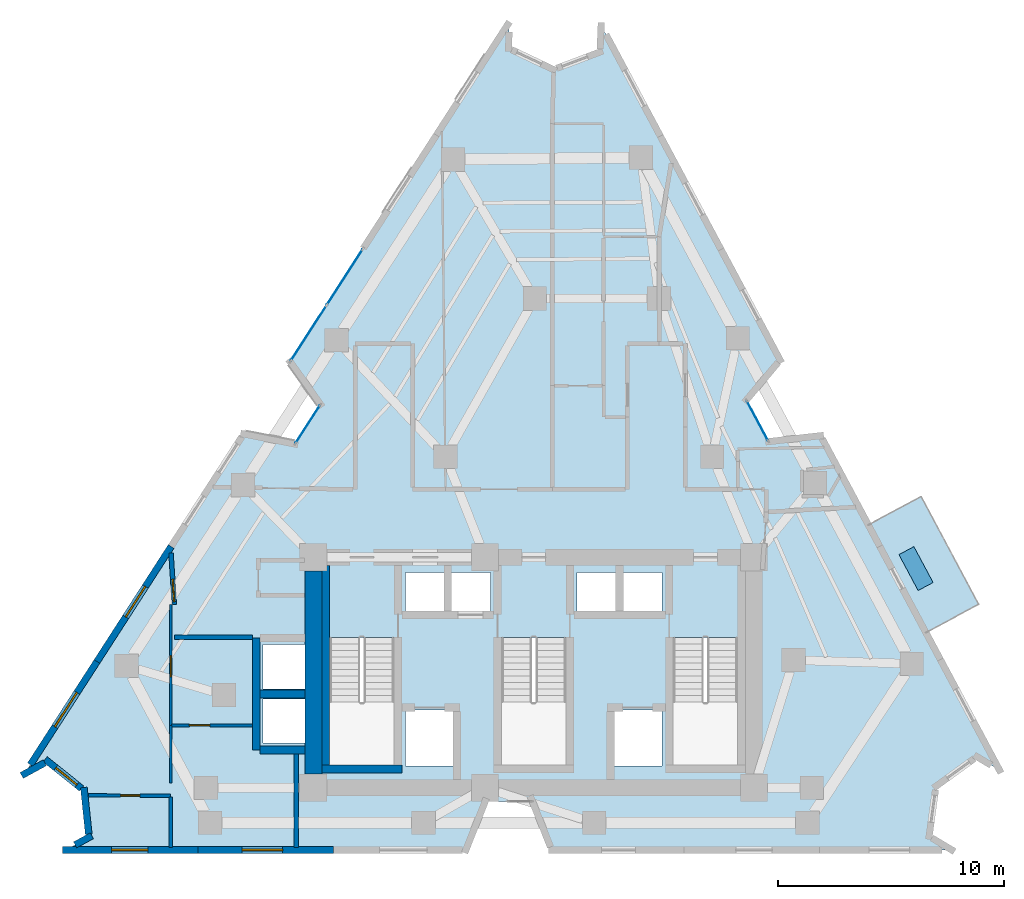
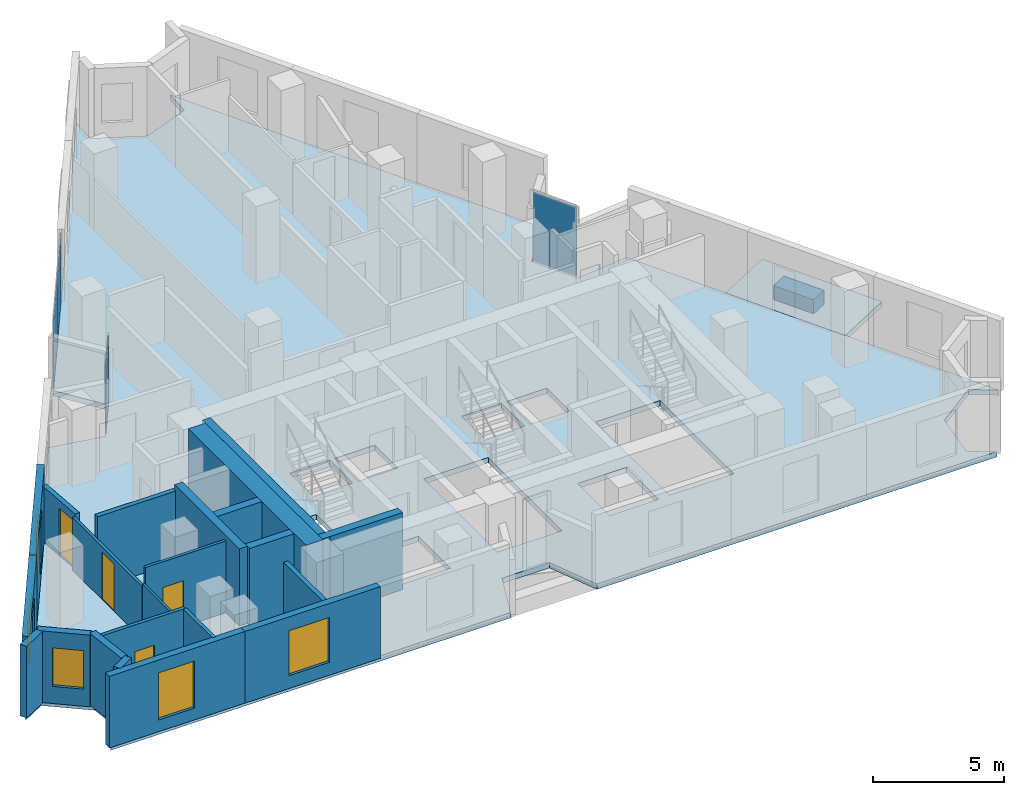
# One storey, part 5 of 12: 22 walls, 5 plates, 5 windows, 4 doors, 2 slabs, 9 openings, 3 elements without a shape of their own.
"""IFC4 building model written with IfcOpenShell, lengths in metres."""

from ifc_helpers import new_model, si_unit, direction, frame, frame_2d, origin, origin_2d, place, context, subcontext, project, spatial, polyline, rectangle, outline, extrude, material, layer, layer_set, type_object, element, fill, aggregate, save


model = new_model("IFC4")

# Units and contexts
model_context = context("Model", 3, precision=1e-05, world=origin(), true_north=direction((0.0, 1.0)))
body_context = subcontext(model_context, "Body", "Model", "MODEL_VIEW")
ifc_project = project(units=[si_unit("LENGTHUNIT", "METRE"), si_unit("AREAUNIT", "SQUARE_METRE"), si_unit("VOLUMEUNIT", "CUBIC_METRE"), si_unit("PLANEANGLEUNIT", "RADIAN"), si_unit("MASSUNIT", "GRAM", prefix="KILO")], contexts=[model_context])

# Site, building, storey
site_placement = place(None, origin())
site = spatial("IfcSite", under=ifc_project, at=site_placement, CompositionType="ELEMENT")
building_placement = place(site_placement, origin())
building = spatial("IfcBuilding", under=site, at=building_placement, Name="Almagre Mirador Tower", CompositionType="ELEMENT")
storey_placement = place(building_placement, frame((0.0, 0.0, 182.39990234375)))
storey = spatial("IfcBuildingStorey", under=building, at=storey_placement, Name="L47", CompositionType="ELEMENT", Elevation=182.39990234375)

# Curtain wall, plate
ifc_material_1 = material(Name="Black anodized aluminium", Category="aluminium")
ifc_layer_1 = layer(ifc_material_1, 0.169921875)
ifc_layer_set_1 = layer_set([ifc_layer_1], Name="Black anodized aluminium")
curtain_wall_type_1 = type_object("IfcCurtainWallType", Name="CW-CRS-SYS", PredefinedType="NOTDEFINED", material=ifc_layer_set_1)
curtain_wall_1_placement = place(storey_placement, origin())
curtain_wall_1 = element("IfcCurtainWall", 1, at=curtain_wall_1_placement, inside=storey, type_object=curtain_wall_type_1, Name="L47 vertical crease curtain wall 01", PredefinedType="NOTDEFINED")
ifc_material_2 = material(Name="Dark solar-control laminated hurricane glass", Category="glass")
ifc_layer_2 = layer(ifc_material_2, 0.028076171875)
ifc_layer_set_2 = layer_set([ifc_layer_2], Name="Dark solar-control laminated hurricane glass")
plate_type_1 = type_object("IfcPlateType", Name="PLT-GLZ-28", PredefinedType="CURTAIN_PANEL", material=ifc_layer_set_2)
plate_1_placement = place(storey_placement, frame((27.306396484375, 20.634521484375, 0.06005859375), z_axis=(0.0, 0.0, 1.0), x_axis=(0.541941642109, 0.840416121066, 0.0)))
plate_1 = element("IfcPlate", 2, at=plate_1_placement, type_object=plate_type_1, Name="CW-4 panel 1.1", PredefinedType="CURTAIN_PANEL", context=body_context, shape_type="SweptSolid", body=[
    extrude(rectangle(XDim=1.970703125, YDim=0.028076171875, at=origin_2d()), origin(), (0.0, 0.0, 1.0), 3.22998046875),
])
aggregate(curtain_wall_1, [plate_1])

curtain_wall_2_placement = place(storey_placement, origin())
curtain_wall_2 = element("IfcCurtainWall", 3, at=curtain_wall_2_placement, inside=storey, type_object=curtain_wall_type_1, Name="L47 vertical crease curtain wall 03", PredefinedType="NOTDEFINED")
plate_2_placement = place(storey_placement, frame((47.2041015625, 20.785400390625, 0.06005859375), z_axis=(0.0, 0.0, 1.0), x_axis=(0.47173010875, -0.881742992316, 0.0)))
plate_2 = element("IfcPlate", 4, at=plate_2_placement, type_object=plate_type_1, Name="CW-4 panel 1.1", PredefinedType="CURTAIN_PANEL", context=body_context, shape_type="SweptSolid", body=[
    extrude(rectangle(XDim=1.97021484375, YDim=0.028076171875, at=origin_2d()), origin(), (0.0, 0.0, 1.0), 3.22998046875),
])
aggregate(curtain_wall_2, [plate_2])

# Curtain wall, plates
ifc_material_3 = material(Name="Black anodized aluminium", Category="aluminium")
ifc_layer_3 = layer(ifc_material_3, 0.199951171875)
ifc_layer_set_3 = layer_set([ifc_layer_3], Name="Black anodized aluminium")
curtain_wall_type_2 = type_object("IfcCurtainWallType", Name="CW-RES-H-SYS", PredefinedType="NOTDEFINED", material=ifc_layer_set_3)
curtain_wall_3_placement = place(storey_placement, origin())
curtain_wall_3 = element("IfcCurtainWall", 5, at=curtain_wall_3_placement, inside=storey, type_object=curtain_wall_type_2, Name="L47 curtain wall run 02", PredefinedType="NOTDEFINED")
ifc_material_4 = material(Name="Dark solar-control laminated hurricane glass", Category="glass")
ifc_layer_4 = layer(ifc_material_4, 0.035888671875)
ifc_layer_set_4 = layer_set([ifc_layer_4], Name="Dark solar-control laminated hurricane glass")
plate_type_2 = type_object("IfcPlateType", Name="PLT-GLZ-36", PredefinedType="CURTAIN_PANEL", material=ifc_layer_set_4)
plate_3_placement = place(storey_placement, frame((27.347412109375, 24.6640625, 0.06494140625), z_axis=(0.0, 0.0, 1.0), x_axis=(0.542027609688, 0.840360678718, 0.0)))
plate_3 = element("IfcPlate", 6, at=plate_3_placement, type_object=plate_type_2, Name="CW-3 panel 1.1", PredefinedType="CURTAIN_PANEL", context=body_context, shape_type="SweptSolid", body=[
    extrude(rectangle(XDim=2.8857421875, YDim=0.035888671875, at=origin_2d()), origin(), (0.0, 0.0, 1.0), 3.219970703125),
])
plate_4_placement = place(storey_placement, frame((28.94677734375, 27.143798828125, 0.06494140625), z_axis=(0.0, 0.0, 1.0), x_axis=(0.542027609688, 0.840360678718, 0.0)))
plate_4 = element("IfcPlate", 7, at=plate_4_placement, type_object=plate_type_2, Name="CW-3 panel 2.1", PredefinedType="CURTAIN_PANEL", context=body_context, shape_type="SweptSolid", body=[
    extrude(rectangle(XDim=2.8857421875, YDim=0.035888671875, at=origin_2d()), origin(), (0.0, 0.0, 1.0), 3.219970703125),
])
aggregate(curtain_wall_3, [plate_3, plate_4])

# Plate
ifc_material_5 = material(Name="Precast concrete C50/60", Category="concrete")
ifc_layer_5 = layer(ifc_material_5, 0.64990234375)
ifc_layer_set_5 = layer_set([ifc_layer_5], Name="Precast concrete C50/60")
plate_type_3 = type_object("IfcPlateType", Name="PLT-PLANTER-1800", PredefinedType="USERDEFINED", material=ifc_layer_set_5)
plate_5_placement = place(storey_placement, frame((54.218017578125, 14.248046875, 0.000244140625), z_axis=(0.0, 0.0, 1.0), x_axis=(-0.471735335523, 0.881740195987, 0.0)))
element("IfcPlate", 8, at=plate_5_placement, inside=storey, type_object=plate_type_3, Name="L47 east balcony structural tree planter 1", ObjectType="PLANTER", PredefinedType="USERDEFINED", context=body_context, shape_type="SweptSolid", body=[
    extrude(rectangle(XDim=1.800048828125, YDim=0.75, at=origin_2d()), origin(), (0.0, 0.0, 1.0), 0.64990234375),
])

# Slabs
ifc_material_6 = material(Name="Concrete C45/55", Category="concrete")
ifc_layer_6 = layer(ifc_material_6, 0.239990234375)
ifc_layer_set_6 = layer_set([ifc_layer_6], Name="Concrete C45/55")
slab_type_1 = type_object("IfcSlabType", Name="SLB-BAL-240", PredefinedType="USERDEFINED", material=ifc_layer_set_6)
slab_1_placement = place(storey_placement, frame((0.0, 0.0, -0.239990234375)))
element("IfcSlab", 9, at=slab_1_placement, inside=storey, type_object=slab_type_1, Name="L47 east planted tree balcony 1", ObjectType="BALCONY", PredefinedType="USERDEFINED", context=body_context, shape_type="SweptSolid", body=[
    extrude(outline(polyline([(54.635986328125, 11.409912109375), (52.087890625, 16.172119140625), (54.443115234375, 17.430908203125), (56.989990234375, 12.6689453125), (54.635986328125, 11.409912109375)])), origin(), (0.0, 0.0, 1.0), 0.239990234375),
])
ifc_material_7 = material(Name="Concrete C45/55", Category="concrete")
ifc_layer_7 = layer(ifc_material_7, 0.25)
ifc_layer_set_7 = layer_set([ifc_layer_7], Name="Concrete C45/55")
slab_type_2 = type_object("IfcSlabType", Name="SLB-FLR-250", PredefinedType="FLOOR", material=ifc_layer_set_7)
slab_2_placement = place(storey_placement, frame((0.0, 0.0, -0.25)))
element("IfcSlab", 10, at=slab_2_placement, inside=storey, type_object=slab_type_2, Name="L47 structural floor slab", PredefinedType="FLOOR", context=body_context, shape_type="SweptSolid", body=[
    extrude(outline(polyline([(14.76806640625, 5.160888671875), (15.794921875, 5.720947265625), (17.412109375, 4.422119140625), (17.626953125, 2.360107421875), (16.60009765625, 1.800048828125), (34.300048828125, 1.800048828125), (35.155029296875, 3.949951171875), (37.2451171875, 3.949951171875), (38.10009765625, 1.800048828125), (55.800048828125, 1.800048828125), (54.7958984375, 2.40087890625), (55.09912109375, 4.615966796875), (56.908935546875, 5.927978515625), (57.9130859375, 5.326904296875), (49.99609375, 20.125), (47.697021484375, 19.864013671875), (46.7109375, 21.70703125), (48.2041015625, 23.47509765625), (40.287109375, 38.27294921875), (40.239013671875, 37.10400390625), (38.176025390625, 36.324951171875), (36.18408203125, 37.27001953125), (36.23193359375, 38.43896484375), (26.530029296875, 23.39697265625), (27.873046875, 21.512939453125), (26.739990234375, 19.756103515625), (24.469970703125, 20.202880859375), (14.76806640625, 5.160888671875)]), holes=[polyline([(43.47509765625, 5.550048828125), (43.47509765625, 11.196044921875), (46.324951171875, 11.196044921875), (46.324951171875, 5.550048828125), (43.47509765625, 5.550048828125)]), polyline([(40.820068359375, 5.52001953125), (40.820068359375, 7.97998046875), (42.97998046875, 7.97998046875), (42.97998046875, 5.52001953125), (40.820068359375, 5.52001953125)]), polyline([(41.219970703125, 12.320068359375), (41.219970703125, 14.080078125), (42.97998046875, 14.080078125), (42.97998046875, 12.320068359375), (41.219970703125, 12.320068359375)]), polyline([(39.219970703125, 12.320068359375), (39.219970703125, 14.080078125), (40.97998046875, 14.080078125), (40.97998046875, 12.320068359375), (39.219970703125, 12.320068359375)]), polyline([(35.875, 11.196044921875), (38.72509765625, 11.196044921875), (38.72509765625, 5.550048828125), (35.875, 5.550048828125), (35.875, 11.196044921875)]), polyline([(35.3798828125, 12.320068359375), (33.6201171875, 12.320068359375), (33.6201171875, 14.080078125), (35.3798828125, 14.080078125), (35.3798828125, 12.320068359375)]), polyline([(33.780029296875, 5.52001953125), (31.6201171875, 5.52001953125), (31.6201171875, 7.97998046875), (33.780029296875, 7.97998046875), (33.780029296875, 5.52001953125)]), polyline([(31.6201171875, 12.320068359375), (31.6201171875, 14.080078125), (33.3798828125, 14.080078125), (33.3798828125, 12.320068359375), (31.6201171875, 12.320068359375)]), polyline([(28.27490234375, 5.550048828125), (28.27490234375, 11.196044921875), (31.125, 11.196044921875), (31.125, 5.550048828125), (28.27490234375, 5.550048828125)]), polyline([(25.320068359375, 8.919921875), (25.320068359375, 10.8798828125), (27.3798828125, 10.8798828125), (27.3798828125, 8.919921875), (25.320068359375, 8.919921875)]), polyline([(27.3798828125, 6.52001953125), (25.320068359375, 6.52001953125), (25.320068359375, 8.47998046875), (27.3798828125, 8.47998046875), (27.3798828125, 6.52001953125)])]), origin(), (0.0, 0.0, 1.0), 0.25),
])

# Wall, opening, window
ifc_material_8 = material(Name="Precast concrete C50/60", Category="concrete")
ifc_layer_8 = layer(ifc_material_8, 0.300048828125)
ifc_layer_set_8 = layer_set([ifc_layer_8], Name="Precast concrete C50/60")
wall_type_1 = type_object("IfcWallType", Name="WAL-EXT-300", PredefinedType="SOLIDWALL", material=ifc_layer_set_8)
wall_1_placement = place(storey_placement, frame((28.44677734375, 1.800048828125, 0.0), z_axis=(0.0, 0.0, 1.0), x_axis=(-1.0, 0.0, 0.0)))
wall_1 = element("IfcWall", 11, at=wall_1_placement, inside=storey, type_object=wall_type_1, Name="L47 expressed almagre precast frame wall 27", PredefinedType="SOLIDWALL", context=body_context, shape_type="SweptSolid", body=[
    extrude(rectangle(XDim=5.993408203125, YDim=0.300048828125, at=frame_2d((2.99658203125, 0.0))), origin(), (0.0, 0.0, 1.0), 3.35009765625),
])
opening_1_placement = place(wall_1_placement, frame((2.25, 0.0, 0.60009765625)))
opening_1 = element("IfcOpeningElement", 12, at=opening_1_placement, cuts=wall_1, Name="Opening WN-01", PredefinedType="OPENING", context=body_context, shape_type="SweptSolid", body=[
    extrude(rectangle(XDim=1.800048828125, YDim=2.10009765625, at=frame_2d((0.89990234375, 1.050048828125))), frame((0.0, 0.159902, 0.0), z_axis=(0.0, -1.0, 0.0), x_axis=(1.0, 0.0, 0.0)), (0.0, 0.0, 1.0), 0.320049),
])
ifc_material_9 = material(Name="Dark solar-control laminated hurricane glass", Category="glass")
window_type_1 = type_object("IfcWindowType", Name="WIN-1800X2100", PartitioningType="DOUBLE_PANEL_VERTICAL", PredefinedType="WINDOW", material=ifc_material_9)
window_1_placement = place(opening_1_placement, origin())
window_1 = element("IfcWindow", 13, at=window_1_placement, inside=storey, type_object=window_type_1, Name="L47 recessed hurricane window L47-UA-MB", OverallHeight=2.10009765625, OverallWidth=1.800048828125, PartitioningType="SINGLE_PANEL", PredefinedType="WINDOW", context=body_context, shape_type="SweptSolid", body=[
    extrude(rectangle(XDim=1.800048828125, YDim=2.10009765625, at=frame_2d((0.89990234375, 1.050048828125))), frame((0.0, 0.030029296875, 0.0), z_axis=(0.0, -1.0, 0.0), x_axis=(1.0, 0.0, 0.0)), (0.0, 0.0, 1.0), 0.06005859375),
])
fill(opening_1, window_1)

wall_2_placement = place(storey_placement, frame((22.453369140625, 1.800048828125, 0.0), z_axis=(0.0, 0.0, 1.0), x_axis=(-1.0, 0.0, 0.0)))
wall_2 = element("IfcWall", 14, at=wall_2_placement, inside=storey, type_object=wall_type_1, Name="L47 expressed almagre precast frame wall 28", PredefinedType="SOLIDWALL", context=body_context, shape_type="SweptSolid", body=[
    extrude(rectangle(XDim=5.993408203125, YDim=0.300048828125, at=frame_2d((2.99658203125, 0.0))), origin(), (0.0, 0.0, 1.0), 3.35009765625),
])
opening_2_placement = place(wall_2_placement, frame((2.22509765625, 0.0, 0.550048828125)))
opening_2 = element("IfcOpeningElement", 15, at=opening_2_placement, cuts=wall_2, Name="Opening WN-06", PredefinedType="OPENING", context=body_context, shape_type="SweptSolid", body=[
    extrude(rectangle(XDim=1.60009765625, YDim=2.199951171875, at=frame_2d((0.800048828125, 1.10009765625))), frame((0.0, 0.159902, 0.0), z_axis=(0.0, -1.0, 0.0), x_axis=(1.0, 0.0, 0.0)), (0.0, 0.0, 1.0), 0.320049),
])
ifc_material_10 = material(Name="Dark solar-control laminated hurricane glass", Category="glass")
window_type_2 = type_object("IfcWindowType", Name="WIN-1600X2200", PartitioningType="DOUBLE_PANEL_VERTICAL", PredefinedType="WINDOW", material=ifc_material_10)
window_2_placement = place(opening_2_placement, origin())
window_2 = element("IfcWindow", 16, at=window_2_placement, inside=storey, type_object=window_type_2, Name="L47 recessed hurricane window L47-UA-HB", OverallHeight=2.199951171875, OverallWidth=1.60009765625, PartitioningType="SINGLE_PANEL", PredefinedType="WINDOW", context=body_context, shape_type="SweptSolid", body=[
    extrude(rectangle(XDim=1.60009765625, YDim=2.199951171875, at=frame_2d((0.800048828125, 1.10009765625))), frame((0.0, 0.030029296875, 0.0), z_axis=(0.0, -1.0, 0.0), x_axis=(1.0, 0.0, 0.0)), (0.0, 0.0, 1.0), 0.06005859375),
])
fill(opening_2, window_2)

# Walls
wall_3_placement = place(storey_placement, frame((17.0126953125, 2.02490234375, 0.0), z_axis=(0.0, 0.0, 1.0), x_axis=(0.877928900016, 0.478791025936, 0.0)))
element("IfcWall", 17, at=wall_3_placement, inside=storey, type_object=wall_type_1, Name="L47 expressed almagre precast frame wall 29", PredefinedType="SOLIDWALL", context=body_context, shape_type="SweptSolid", body=[
    extrude(rectangle(XDim=0.83984375, YDim=0.300048828125, at=frame_2d((0.419921875, 0.0))), origin(), (0.0, 0.0, 1.0), 3.35009765625),
])
wall_4_placement = place(storey_placement, frame((17.612548828125, 2.499267578125, 0.0), z_axis=(0.0, 0.0, 1.0), x_axis=(-0.10374684954, 0.994603735771, 0.0)))
element("IfcWall", 18, at=wall_4_placement, inside=storey, type_object=wall_type_1, Name="L47 expressed almagre precast frame wall 30", PredefinedType="SOLIDWALL", context=body_context, shape_type="SweptSolid", body=[
    extrude(rectangle(XDim=2.0732421875, YDim=0.300048828125, at=frame_2d((1.03662109375, 0.0))), origin(), (0.0, 0.0, 1.0), 3.35009765625),
])

# Wall, opening, window
wall_5_placement = place(storey_placement, frame((17.29345703125, 4.51708984375, 0.0), z_axis=(0.0, 0.0, 1.0), x_axis=(-0.779596670004, 0.626281911058, 0.0)))
wall_5 = element("IfcWall", 19, at=wall_5_placement, inside=storey, type_object=wall_type_1, Name="L47 expressed almagre precast frame wall 31", PredefinedType="SOLIDWALL", context=body_context, shape_type="SweptSolid", body=[
    extrude(rectangle(XDim=2.062255859375, YDim=0.300048828125, at=frame_2d((1.03125, 0.0))), origin(), (0.0, 0.0, 1.0), 3.35009765625),
])
opening_3_placement = place(wall_5_placement, frame((0.258056640625, 0.0, 0.800048828125)))
opening_3 = element("IfcOpeningElement", 20, at=opening_3_placement, cuts=wall_5, Name="Opening WN-04", PredefinedType="OPENING", context=body_context, shape_type="SweptSolid", body=[
    extrude(rectangle(XDim=1.199951171875, YDim=1.800048828125, at=frame_2d((0.60009765625, 0.89990234375))), frame((0.0, 0.159902, 0.0), z_axis=(0.0, -1.0, 0.0), x_axis=(1.0, 0.0, 0.0)), (0.0, 0.0, 1.0), 0.320049),
])
ifc_material_11 = material(Name="Dark solar-control laminated hurricane glass", Category="glass")
window_type_3 = type_object("IfcWindowType", Name="WIN-1200X1800", PartitioningType="SINGLE_PANEL", PredefinedType="WINDOW", material=ifc_material_11)
window_3_placement = place(opening_3_placement, origin())
window_3 = element("IfcWindow", 21, at=window_3_placement, inside=storey, type_object=window_type_3, Name="L47 recessed hurricane window L47-UA-LV", OverallHeight=1.800048828125, OverallWidth=1.199951171875, PartitioningType="SINGLE_PANEL", PredefinedType="WINDOW", context=body_context, shape_type="SweptSolid", body=[
    extrude(rectangle(XDim=1.199951171875, YDim=1.800048828125, at=frame_2d((0.60009765625, 0.89990234375))), frame((0.0, 0.030029296875, 0.0), z_axis=(0.0, -1.0, 0.0), x_axis=(1.0, 0.0, 0.0)), (0.0, 0.0, 1.0), 0.06005859375),
])
fill(opening_3, window_3)

# Wall
wall_6_placement = place(storey_placement, frame((15.672119140625, 5.654052734375, 0.0), z_axis=(0.0, 0.0, 1.0), x_axis=(-0.877959368473, -0.478735153619, 0.0)))
element("IfcWall", 22, at=wall_6_placement, inside=storey, type_object=wall_type_1, Name="L47 expressed almagre precast frame wall 32", PredefinedType="SOLIDWALL", context=body_context, shape_type="SweptSolid", body=[
    extrude(rectangle(XDim=1.169921875, YDim=0.300048828125, at=frame_2d((0.5849609375, 0.0))), origin(), (0.0, 0.0, 1.0), 3.35009765625),
])

# Wall, opening, window
wall_7_placement = place(storey_placement, frame((15.031005859375, 5.568603515625, 0.0), z_axis=(0.0, 0.0, 1.0), x_axis=(0.542030684676, 0.840358695362, 0.0)))
wall_7 = element("IfcWall", 23, at=wall_7_placement, inside=storey, type_object=wall_type_1, Name="L47 expressed almagre precast frame wall 33", PredefinedType="SOLIDWALL", context=body_context, shape_type="SweptSolid", body=[
    extrude(rectangle(XDim=5.434814453125, YDim=0.300048828125, at=frame_2d((2.71728515625, 0.0))), origin(), (0.0, 0.0, 1.0), 3.35009765625),
])
opening_4_placement = place(wall_7_placement, frame((2.0, 0.0, 0.60009765625)))
opening_4 = element("IfcOpeningElement", 24, at=opening_4_placement, cuts=wall_7, Name="Opening WN-01", PredefinedType="OPENING", context=body_context, shape_type="SweptSolid", body=[
    extrude(rectangle(XDim=1.800048828125, YDim=2.10009765625, at=frame_2d((0.89990234375, 1.050048828125))), frame((0.0, 0.159902, 0.0), z_axis=(0.0, -1.0, 0.0), x_axis=(1.0, 0.0, 0.0)), (0.0, 0.0, 1.0), 0.320049),
])
window_4_placement = place(opening_4_placement, origin())
window_4 = element("IfcWindow", 25, at=window_4_placement, inside=storey, type_object=window_type_1, Name="L47 recessed hurricane window L47-UA-LV", OverallHeight=2.10009765625, OverallWidth=1.800048828125, PartitioningType="SINGLE_PANEL", PredefinedType="WINDOW", context=body_context, shape_type="SweptSolid", body=[
    extrude(rectangle(XDim=1.800048828125, YDim=2.10009765625, at=frame_2d((0.89990234375, 1.050048828125))), frame((0.0, 0.030029296875, 0.0), z_axis=(0.0, -1.0, 0.0), x_axis=(1.0, 0.0, 0.0)), (0.0, 0.0, 1.0), 0.06005859375),
])
fill(opening_4, window_4)

wall_8_placement = place(storey_placement, frame((17.976806640625, 10.1357421875, 0.0), z_axis=(0.0, 0.0, 1.0), x_axis=(0.542001143516, 0.840377748651, 0.0)))
wall_8 = element("IfcWall", 26, at=wall_8_placement, inside=storey, type_object=wall_type_1, Name="L47 expressed almagre precast frame wall 34", PredefinedType="SOLIDWALL", context=body_context, shape_type="SweptSolid", body=[
    extrude(rectangle(XDim=6.059814453125, YDim=0.300048828125, at=frame_2d((3.02978515625, 0.0))), origin(), (0.0, 0.0, 1.0), 3.35009765625),
])
opening_5_placement = place(wall_8_placement, frame((2.35009765625, 0.0, 0.550048828125)))
opening_5 = element("IfcOpeningElement", 27, at=opening_5_placement, cuts=wall_8, Name="Opening WN-06", PredefinedType="OPENING", context=body_context, shape_type="SweptSolid", body=[
    extrude(rectangle(XDim=1.60009765625, YDim=2.199951171875, at=frame_2d((0.800048828125, 1.10009765625))), frame((0.0, 0.159902, 0.0), z_axis=(0.0, -1.0, 0.0), x_axis=(1.0, 0.0, 0.0)), (0.0, 0.0, 1.0), 0.320049),
])
window_5_placement = place(opening_5_placement, origin())
window_5 = element("IfcWindow", 28, at=window_5_placement, inside=storey, type_object=window_type_2, Name="L47 recessed hurricane window L47-UA-LV", OverallHeight=2.199951171875, OverallWidth=1.60009765625, PartitioningType="SINGLE_PANEL", PredefinedType="WINDOW", context=body_context, shape_type="SweptSolid", body=[
    extrude(rectangle(XDim=1.60009765625, YDim=2.199951171875, at=frame_2d((0.800048828125, 1.10009765625))), frame((0.0, 0.030029296875, 0.0), z_axis=(0.0, -1.0, 0.0), x_axis=(1.0, 0.0, 0.0)), (0.0, 0.0, 1.0), 0.06005859375),
])
fill(opening_5, window_5)

# Wall
ifc_material_12 = material(Name="Gypsum acoustic stud partition", Category="other")
ifc_layer_9 = layer(ifc_material_12, 0.10009765625)
ifc_layer_set_9 = layer_set([ifc_layer_9], Name="Gypsum acoustic stud partition")
wall_type_2 = type_object("IfcWallType", Name="WAL-PRT-100-CLS", PredefinedType="PARTITIONING", material=ifc_layer_set_9)
wall_9_placement = place(storey_placement, frame((21.239990234375, 4.77001953125, 0.0), z_axis=(0.0, 0.0, 1.0), x_axis=(0.0, 1.0, 0.0)))
element("IfcWall", 29, at=wall_9_placement, inside=storey, type_object=wall_type_2, Name="L47 interior partition 023", PredefinedType="PARTITIONING", context=body_context, shape_type="SweptSolid", body=[
    extrude(rectangle(XDim=2.5400390625, YDim=0.10009765625, at=frame_2d((1.27001953125, 0.0))), origin(), (0.0, 0.0, 1.0), 2.570068359375),
])

# Wall, opening, door
ifc_material_13 = material(Name="Gypsum acoustic stud partition", Category="other")
ifc_layer_10 = layer(ifc_material_13, 0.125)
ifc_layer_set_10 = layer_set([ifc_layer_10], Name="Gypsum acoustic stud partition")
wall_type_3 = type_object("IfcWallType", Name="WAL-PRT-125-UTL", PredefinedType="PARTITIONING", material=ifc_layer_set_10)
wall_10_placement = place(storey_placement, frame((21.239990234375, 7.31005859375, 0.0), z_axis=(0.0, 0.0, 1.0), x_axis=(0.0, 1.0, 0.0)))
wall_10 = element("IfcWall", 30, at=wall_10_placement, inside=storey, type_object=wall_type_3, Name="L47 interior partition 022", PredefinedType="PARTITIONING", context=body_context, shape_type="SweptSolid", body=[
    extrude(rectangle(XDim=5.349853515625, YDim=0.125, at=frame_2d((2.6748046875, 0.0))), origin(), (0.0, 0.0, 1.0), 2.464111328125),
])
opening_6_placement = place(wall_10_placement, frame((2.14111328125, 0.0, 0.0)))
opening_6 = element("IfcOpeningElement", 31, at=opening_6_placement, cuts=wall_10, Name="Opening UD-01", PredefinedType="OPENING", context=body_context, shape_type="SweptSolid", body=[
    extrude(rectangle(XDim=0.949951171875, YDim=2.199951171875, at=frame_2d((0.47509765625, 1.10009765625))), frame((0.0, 0.0725, 0.0), z_axis=(0.0, -1.0, 0.0), x_axis=(1.0, 0.0, 0.0)), (0.0, 0.0, 1.0), 0.145),
])
ifc_material_14 = material(Name="Solid American walnut timber", Category="wood")
door_type_1 = type_object("IfcDoorType", Name="DOR-UNR-950X2200", OperationType="NOTDEFINED", PredefinedType="DOOR", material=ifc_material_14)
door_1_placement = place(opening_6_placement, origin())
door_1 = element("IfcDoor", 32, at=door_1_placement, inside=storey, type_object=door_type_1, Name="DR-1494 L47 interior door L47-UA-LV to L47-UA-KT", OperationType="SINGLE_SWING_RIGHT", OverallHeight=2.199951171875, OverallWidth=0.949951171875, PredefinedType="DOOR", context=body_context, shape_type="SweptSolid", body=[
    extrude(rectangle(XDim=0.949951171875, YDim=2.199951171875, at=frame_2d((0.47509765625, 1.10009765625))), frame((0.0, 0.02490234375, 0.0), z_axis=(0.0, -1.0, 0.0), x_axis=(1.0, 0.0, 0.0)), (0.0, 0.0, 1.0), 0.050048828125),
])
fill(opening_6, door_1)

wall_11_placement = place(storey_placement, frame((21.28759765625, 7.31005859375, 0.0), z_axis=(0.0, 0.0, 1.0), x_axis=(1.0, 0.0, 0.0)))
wall_11 = element("IfcWall", 33, at=wall_11_placement, inside=storey, type_object=wall_type_3, Name="L47 interior partition 025", PredefinedType="PARTITIONING", context=body_context, shape_type="SweptSolid", body=[
    extrude(rectangle(XDim=3.577392578125, YDim=0.125, at=frame_2d((1.78857421875, 0.0))), origin(), (0.0, 0.0, 1.0), 3.35009765625),
])
opening_7_placement = place(wall_11_placement, frame((0.782470703125, 0.0, 0.0)))
opening_7 = element("IfcOpeningElement", 34, at=opening_7_placement, cuts=wall_11, Name="Opening UD-02", PredefinedType="OPENING", context=body_context, shape_type="SweptSolid", body=[
    extrude(rectangle(XDim=0.89990234375, YDim=2.14990234375, at=frame_2d((0.449951171875, 1.074951171875))), frame((0.0, 0.0725, 0.0), z_axis=(0.0, -1.0, 0.0), x_axis=(1.0, 0.0, 0.0)), (0.0, 0.0, 1.0), 0.145),
])
ifc_material_15 = material(Name="Solid American walnut timber", Category="wood")
door_type_2 = type_object("IfcDoorType", Name="DOR-UNR-900X2150", OperationType="NOTDEFINED", PredefinedType="DOOR", material=ifc_material_15)
door_2_placement = place(opening_7_placement, origin())
door_2 = element("IfcDoor", 35, at=door_2_placement, inside=storey, type_object=door_type_2, Name="DR-1496 L47 interior door L47-UA-KT to L47-UA-MB", OperationType="SINGLE_SWING_RIGHT", OverallHeight=2.14990234375, OverallWidth=0.89990234375, PredefinedType="DOOR", context=body_context, shape_type="SweptSolid", body=[
    extrude(rectangle(XDim=0.89990234375, YDim=2.14990234375, at=frame_2d((0.449951171875, 1.074951171875))), frame((0.0, 0.02490234375, 0.0), z_axis=(0.0, -1.0, 0.0), x_axis=(1.0, 0.0, 0.0)), (0.0, 0.0, 1.0), 0.050048828125),
])
fill(opening_7, door_2)

ifc_material_16 = material(Name="Gypsum acoustic stud partition", Category="other")
ifc_layer_11 = layer(ifc_material_16, 0.14990234375)
ifc_layer_set_11 = layer_set([ifc_layer_11], Name="Gypsum acoustic stud partition")
wall_type_4 = type_object("IfcWallType", Name="WAL-PRT-150-STD", PredefinedType="PARTITIONING", material=ifc_layer_set_11)
wall_12_placement = place(storey_placement, frame((17.593017578125, 4.212890625, 0.0), z_axis=(0.0, 0.0, 1.0), x_axis=(0.999993705913, -0.003547976062, 0.0)))
wall_12 = element("IfcWall", 36, at=wall_12_placement, inside=storey, type_object=wall_type_4, Name="L47 interior partition 021", PredefinedType="PARTITIONING", context=body_context, shape_type="SweptSolid", body=[
    extrude(rectangle(XDim=3.64697265625, YDim=0.14990234375, at=frame_2d((1.823486328125, 0.0))), origin(), (0.0, 0.0, 1.0), 3.35009765625),
])
opening_8_placement = place(wall_12_placement, frame((1.434814453125, 0.0, 0.0)))
opening_8 = element("IfcOpeningElement", 37, at=opening_8_placement, cuts=wall_12, Name="Opening UD-04", PredefinedType="OPENING", context=body_context, shape_type="SweptSolid", body=[
    extrude(rectangle(XDim=0.85009765625, YDim=2.10009765625, at=frame_2d((0.425048828125, 1.050048828125))), frame((0.0, 0.084951, 0.0), z_axis=(0.0, -1.0, 0.0), x_axis=(1.0, 0.0, 0.0)), (0.0, 0.0, 1.0), 0.169902),
])
ifc_material_17 = material(Name="Moisture-resistant oak timber", Category="wood")
door_type_3 = type_object("IfcDoorType", Name="DOR-UNR-850X2100", OperationType="NOTDEFINED", PredefinedType="DOOR", material=ifc_material_17)
door_3_placement = place(opening_8_placement, origin())
door_3 = element("IfcDoor", 38, at=door_3_placement, inside=storey, type_object=door_type_3, Name="DR-1495 L47 interior door L47-UA-LV to L47-UA-HB", OperationType="SINGLE_SWING_LEFT", OverallHeight=2.10009765625, OverallWidth=0.85009765625, PredefinedType="DOOR", context=body_context, shape_type="SweptSolid", body=[
    extrude(rectangle(XDim=0.85009765625, YDim=2.10009765625, at=frame_2d((0.425048828125, 1.050048828125))), frame((0.0, 0.02490234375, 0.0), z_axis=(0.0, -1.0, 0.0), x_axis=(1.0, 0.0, 0.0)), (0.0, 0.0, 1.0), 0.050048828125),
])
fill(opening_8, door_3)

# Wall
wall_13_placement = place(storey_placement, frame((21.239990234375, 1.89990234375, 0.0), z_axis=(0.0, 0.0, 1.0), x_axis=(0.0, 1.0, 0.0)))
element("IfcWall", 39, at=wall_13_placement, inside=storey, type_object=wall_type_4, Name="L47 interior partition 024", PredefinedType="PARTITIONING", context=body_context, shape_type="SweptSolid", body=[
    extrude(rectangle(XDim=2.239990234375, YDim=0.14990234375, at=frame_2d((1.1201171875, 0.0))), origin(), (0.0, 0.0, 1.0), 3.35009765625),
])

# Wall, opening, door
ifc_material_18 = material(Name="Gypsum acoustic stud partition", Category="other")
ifc_layer_12 = layer(ifc_material_18, 0.199951171875)
ifc_layer_set_12 = layer_set([ifc_layer_12], Name="Gypsum acoustic stud partition")
wall_type_5 = type_object("IfcWallType", Name="WAL-PRT-200-EI60", PredefinedType="PARTITIONING", material=ifc_layer_set_12)
wall_14_placement = place(storey_placement, frame((21.2548828125, 14.930908203125, 0.0), z_axis=(0.0, 0.0, 1.0), x_axis=(0.06372743503, -0.997967341161, 0.0)))
wall_14 = element("IfcWall", 40, at=wall_14_placement, inside=storey, type_object=wall_type_5, Name="L47 interior partition 001", PredefinedType="PARTITIONING", context=body_context, shape_type="SweptSolid", body=[
    extrude(rectangle(XDim=2.275634765625, YDim=0.199951171875, at=frame_2d((1.1376953125, 0.0))), origin(), (0.0, 0.0, 1.0), 2.570068359375),
])
opening_9_placement = place(wall_14_placement, frame((1.1552734375, 0.0, 0.0)))
opening_9 = element("IfcOpeningElement", 41, at=opening_9_placement, cuts=wall_14, Name="Opening ID-01", PredefinedType="OPENING", context=body_context, shape_type="SweptSolid", body=[
    extrude(rectangle(XDim=1.0, YDim=2.199951171875, at=frame_2d((0.5, 1.10009765625))), frame((0.0, 0.110098, 0.0), z_axis=(0.0, -1.0, 0.0), x_axis=(1.0, 0.0, 0.0)), (0.0, 0.0, 1.0), 0.219951),
])
ifc_material_19 = material(Name="Fire-rated walnut timber", Category="wood")
door_type_4 = type_object("IfcDoorType", Name="DOR-FD60-1000X2200", OperationType="NOTDEFINED", PredefinedType="DOOR", material=ifc_material_19)
door_4_placement = place(opening_9_placement, origin())
door_4 = element("IfcDoor", 42, at=door_4_placement, inside=storey, type_object=door_type_4, Name="DR-1493 L47 interior door L47-RCOR to L47-UA-LV", OperationType="SINGLE_SWING_LEFT", OverallHeight=2.199951171875, OverallWidth=1.0, PredefinedType="DOOR", context=body_context, shape_type="SweptSolid", body=[
    extrude(rectangle(XDim=1.0, YDim=2.199951171875, at=frame_2d((0.5, 1.10009765625))), frame((0.0, 0.02490234375, 0.0), z_axis=(0.0, -1.0, 0.0), x_axis=(1.0, 0.0, 0.0)), (0.0, 0.0, 1.0), 0.050048828125),
])
fill(opening_9, door_4)

# Walls
wall_15_placement = place(storey_placement, frame((21.39990234375, 11.199951171875, 0.0), z_axis=(0.0, 0.0, 1.0), x_axis=(1.0, 0.0, 0.0)))
element("IfcWall", 43, at=wall_15_placement, inside=storey, type_object=wall_type_5, Name="L47 interior partition 003", PredefinedType="PARTITIONING", context=body_context, shape_type="SweptSolid", body=[
    extrude(rectangle(XDim=3.46923828125, YDim=0.199951171875, at=frame_2d((1.734619140625, 0.0))), origin(), (0.0, 0.0, 1.0), 3.35009765625),
])
wall_16_placement = place(storey_placement, frame((26.800048828125, 1.89990234375, 0.0), z_axis=(0.0, 0.0, 1.0), x_axis=(0.0, 1.0, 0.0)))
element("IfcWall", 44, at=wall_16_placement, inside=storey, type_object=wall_type_5, Name="L47 interior partition 026", PredefinedType="PARTITIONING", context=body_context, shape_type="SweptSolid", body=[
    extrude(rectangle(XDim=4.1650390625, YDim=0.199951171875, at=frame_2d((2.08251953125, 0.0))), origin(), (0.0, 0.0, 1.0), 2.43603515625),
])
ifc_material_20 = material(Name="Concrete C60/75", Category="concrete")
ifc_layer_13 = layer(ifc_material_20, 0.35009765625)
ifc_layer_set_13 = layer_set([ifc_layer_13], Name="Concrete C60/75")
wall_type_6 = type_object("IfcWallType", Name="WAL-SHF-350", PredefinedType="SOLIDWALL", material=ifc_layer_set_13)
wall_17_placement = place(storey_placement, frame((28.10009765625, 5.199951171875, 0.0), z_axis=(0.0, 0.0, 1.0), x_axis=(0.0, 1.0, 0.0)))
element("IfcWall", 45, at=wall_17_placement, inside=storey, type_object=wall_type_6, Name="L47 shaft wall ST1-W", PredefinedType="SOLIDWALL", context=body_context, shape_type="SweptSolid", body=[
    extrude(rectangle(XDim=9.175048828125, YDim=0.35009765625, at=frame_2d((4.58740234375, 0.0))), origin(), (0.0, 0.0, 1.0), 3.60009765625),
])
wall_18_placement = place(storey_placement, frame((27.925048828125, 5.375, 0.0), z_axis=(0.0, 0.0, 1.0), x_axis=(1.0, 0.0, 0.0)))
element("IfcWall", 46, at=wall_18_placement, inside=storey, type_object=wall_type_6, Name="L47 shaft wall ST1-S", PredefinedType="SOLIDWALL", context=body_context, shape_type="SweptSolid", body=[
    extrude(rectangle(XDim=3.550048828125, YDim=0.35009765625, at=frame_2d((1.77490234375, 0.0))), origin(), (0.0, 0.0, 1.0), 3.60009765625),
])
wall_19_placement = place(storey_placement, frame((25.02490234375, 6.22509765625, 0.0), z_axis=(0.0, 0.0, 1.0), x_axis=(0.0, 1.0, 0.0)))
element("IfcWall", 47, at=wall_19_placement, inside=storey, type_object=wall_type_6, Name="L47 shaft wall OL-W", PredefinedType="SOLIDWALL", context=body_context, shape_type="SweptSolid", body=[
    extrude(rectangle(XDim=4.949951171875, YDim=0.35009765625, at=frame_2d((2.47509765625, 0.0))), origin(), (0.0, 0.0, 1.0), 3.60009765625),
])
for number, where, z_axis, x_axis, name in (
    (48, (25.199951171875, 6.22509765625, 0.0), (0.0, 0.0, 1.0), (1.0, 0.0, 0.0), "L47 shaft wall OL-S"),
    (49, (25.199951171875, 8.699951171875, 0.0), (0.0, 0.0, 1.0), (1.0, 0.0, 0.0), "L47 shaft wall OL-M"),
):
    element("IfcWall", number, at=place(storey_placement, frame(where, z_axis=z_axis, x_axis=x_axis)), inside=storey, type_object=wall_type_6, Name=name, PredefinedType="SOLIDWALL", context=body_context, shape_type="SweptSolid", body=[
        extrude(rectangle(XDim=1.97509765625, YDim=0.35009765625, at=frame_2d((0.987548828125, 0.0))), origin(), (0.0, 0.0, 1.0), 3.60009765625),
    ])
ifc_material_21 = material(Name="Concrete C60/75", Category="concrete")
ifc_layer_14 = layer(ifc_material_21, 0.75)
ifc_layer_set_14 = layer_set([ifc_layer_14], Name="Concrete C60/75")
wall_type_7 = type_object("IfcWallType", Name="WAL-SHR-750", PredefinedType="SHEAR", material=ifc_layer_set_14)
wall_20_placement = place(storey_placement, frame((27.550048828125, 5.14990234375, 0.0), z_axis=(0.0, 0.0, 1.0), x_axis=(0.0, 1.0, 0.0)))
element("IfcWall", 50, at=wall_20_placement, inside=storey, type_object=wall_type_7, Name="L47 core shear wall W1", PredefinedType="SHEAR", context=body_context, shape_type="SweptSolid", body=[
    extrude(rectangle(XDim=9.0, YDim=0.75, at=frame_2d((4.5, 0.0))), origin(), (0.0, 0.0, 1.0), 3.60009765625),
])

save(model, "model.ifc")
